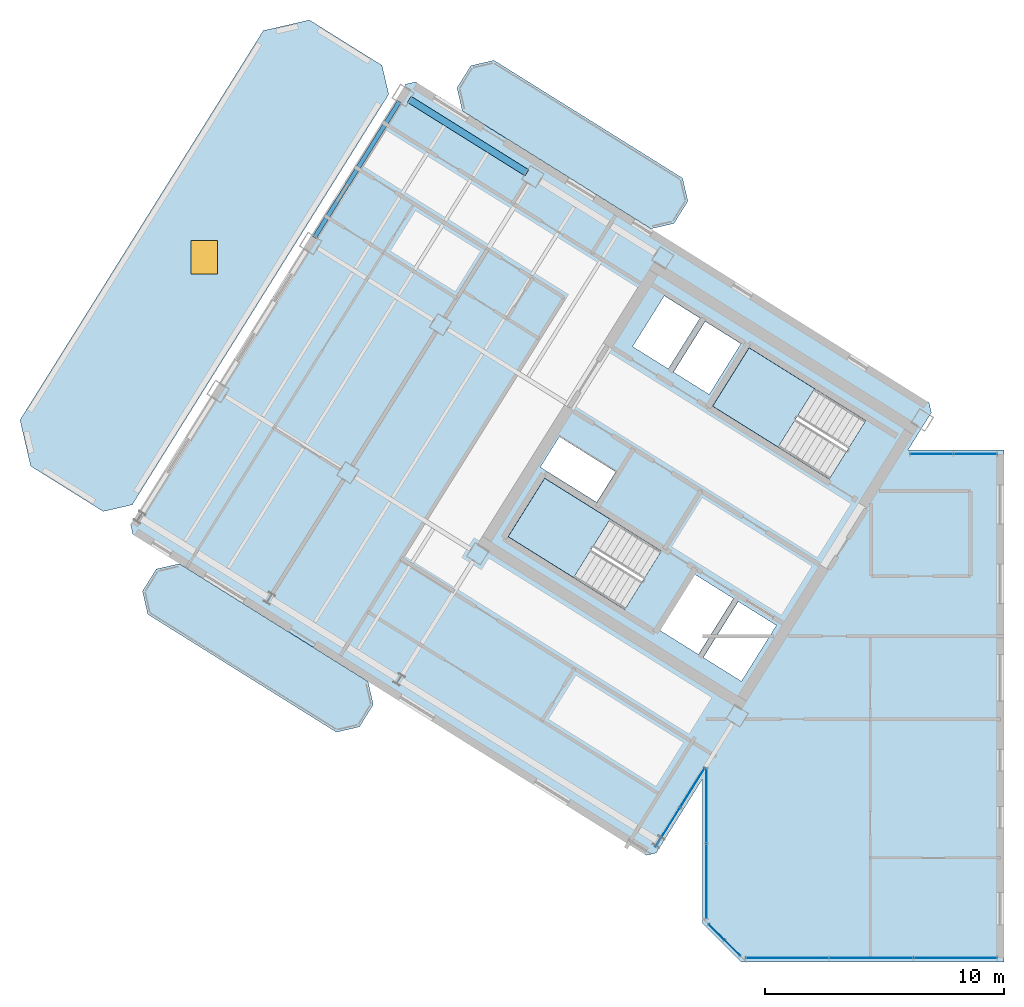
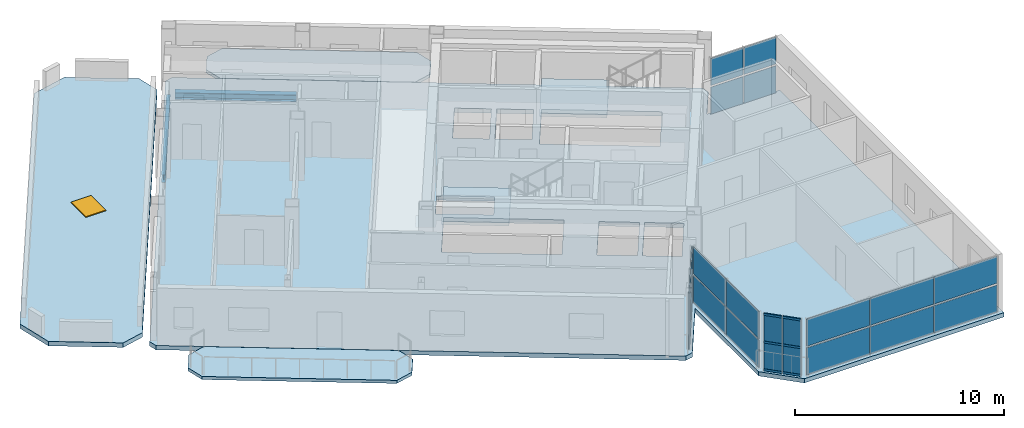
# One storey, part 6 of 12: 22 plates, 6 members, 6 slabs, 2 beams, 1 door, 1 opening, 7 elements without a shape of their own.
"""IFC4 building model written with IfcOpenShell, lengths in metres."""

from ifc_helpers import new_model, si_unit, direction, frame, origin, origin_2d, place, context, subcontext, project, spatial, polyline, rectangle, hollow_rectangle, i_section, outline, extrude, source, transform, mapped, material, layer, layer_set, material_profile, profile_set, type_object, element, fill, aggregate, save


model = new_model("IFC4")

# Units and contexts
model_context = context("Model", 3, precision=1e-05, world=origin(), true_north=direction((0.0, 1.0)))
body_context = subcontext(model_context, "Body", "Model", "MODEL_VIEW")
ifc_project = project(units=[si_unit("LENGTHUNIT", "METRE"), si_unit("AREAUNIT", "SQUARE_METRE"), si_unit("VOLUMEUNIT", "CUBIC_METRE"), si_unit("PLANEANGLEUNIT", "RADIAN"), si_unit("MASSUNIT", "GRAM", prefix="KILO")], contexts=[model_context])

# Site, building, storey
site_placement = place(None, origin())
site = spatial("IfcSite", under=ifc_project, at=site_placement, CompositionType="ELEMENT")
building_placement = place(site_placement, origin())
building = spatial("IfcBuilding", under=site, at=building_placement, Name="Tlacorven Tower", CompositionType="ELEMENT")
storey_placement = place(building_placement, frame((0.0, 0.0, 280.800048828125)))
storey = spatial("IfcBuildingStorey", under=building, at=storey_placement, Name="L71", CompositionType="ELEMENT", Elevation=280.800048828125)

# Beams
ifc_material_1 = material(Name="Steel S355J2", Category="steel")
ifc_material_profile_1 = material_profile(ifc_material_1, i_section(OverallWidth=0.300048828125, OverallDepth=0.389892578125, WebThickness=0.010986328125, FlangeThickness=0.01904296875, at=origin_2d()), Name="HEA 400")
ifc_profile_set_1 = profile_set([ifc_material_profile_1], Name="Steel S355J2")
beam_type_1 = type_object("IfcBeamType", Name="BM-SPN-400", PredefinedType="SPANDREL", material=ifc_profile_set_1)
shared_shape_1 = source(origin(), body_context, "Body", "SweptSolid", [
    extrude(i_section(OverallWidth=0.300048828125, OverallDepth=0.389892578125, WebThickness=0.010986328125, FlangeThickness=0.01904296875, at=origin_2d()), origin(), (0.0, 0.0, 1.0), 5.800048828125),
])
beam_1_placement = place(storey_placement, frame((24.24609375, 34.8017578125, -0.445068359375), z_axis=(-0.848052689693, 0.529911912967, 0.0), x_axis=(-0.529911912967, -0.848052689693, 0.0)))
element("IfcBeam", 1, at=beam_1_placement, inside=storey, type_object=beam_type_1, Name="L71 beam BM-L71-WL1-4", PredefinedType="SPANDREL", context=body_context, shape_type="MappedRepresentation", body=[
    mapped(shared_shape_1, transform((0.0, 0.0, 0.0), scale=1.0)),
])
ifc_material_profile_2 = material_profile(ifc_material_1, i_section(OverallWidth=0.18994140625, OverallDepth=0.449951171875, WebThickness=0.009521484375, FlangeThickness=0.0146484375, at=origin_2d()), Name="IPE 450")
ifc_profile_set_2 = profile_set([ifc_material_profile_2], Name="Steel S355J2")
beam_type_2 = type_object("IfcBeamType", Name="BM-TWR-450", PredefinedType="BEAM", material=ifc_profile_set_2)
shared_shape_2 = source(origin(), body_context, "Body", "SweptSolid", [
    extrude(i_section(OverallWidth=0.18994140625, OverallDepth=0.449951171875, WebThickness=0.009521484375, FlangeThickness=0.0146484375, at=origin_2d()), origin(), (0.0, 0.0, 1.0), 6.7001953125),
])
beam_2_placement = place(storey_placement, frame((18.9140625, 37.780029296875, -0.47509765625), z_axis=(-0.52991377951, -0.848051523367, 0.0), x_axis=(0.848051523367, -0.52991377951, 0.0)))
element("IfcBeam", 2, at=beam_2_placement, inside=storey, type_object=beam_type_2, Name="L71 beam BM-L71-WT5-1", PredefinedType="BEAM", context=body_context, shape_type="MappedRepresentation", body=[
    mapped(shared_shape_2, transform((0.0, 0.0, 0.0), scale=1.0)),
])

# Curtain wall, members
ifc_material_2 = material(Name="Dark solar low-E double glazing in aluminium frame", Category="aluminium")
curtain_wall_type = type_object("IfcCurtainWallType", Name="CW-TWR-HIGH", PredefinedType="USERDEFINED", material=ifc_material_2)
curtain_wall_1_placement = place(storey_placement, origin())
curtain_wall_1 = element("IfcCurtainWall", 3, at=curtain_wall_1_placement, inside=storey, type_object=curtain_wall_type, Name="L71 CW-TWR-HIGH Curtain Wall 330", ObjectType="UNITISED CURTAIN WALL", PredefinedType="USERDEFINED")
ifc_material_3 = material(Name="Aluminium 6063-T6 anodised", Category="aluminium")
ifc_material_profile_3 = material_profile(ifc_material_3, hollow_rectangle(XDim=0.054931640625, YDim=0.1201171875, WallThickness=0.00341796875, at=origin_2d()), Name="ALU TRANSOM 55X120")
ifc_profile_set_3 = profile_set([ifc_material_profile_3], Name="Aluminium 6063-T6 anodised")
member_type = type_object("IfcMemberType", Name="CWT-03", PredefinedType="USERDEFINED", material=ifc_profile_set_3)
shared_shape_3 = source(origin(), body_context, "Body", "SweptSolid", [
    extrude(hollow_rectangle(XDim=0.054931640625, YDim=0.1201171875, WallThickness=0.00341796875, at=origin_2d()), origin(), (0.0, 0.0, 1.0), 0.899169921875),
])
member_1_placement = place(storey_placement, frame((33.16162109375, 2.064697265625, 0.06005859375), z_axis=(-0.707106781187, 0.707106781187, 0.0), x_axis=(-0.707106781187, -0.707106781187, 0.0)))
member_1 = element("IfcMember", 4, at=member_1_placement, type_object=member_type, Name="CW-L71-330 Transom 1", ObjectType="TRANSOM", PredefinedType="USERDEFINED", context=body_context, shape_type="MappedRepresentation", body=[
    mapped(shared_shape_3, transform((0.0, 0.0, 0.0), scale=1.0)),
])
member_2_placement = place(storey_placement, frame((33.16162109375, 2.064697265625, 1.675048828125), z_axis=(-0.707106781187, 0.707106781187, 0.0), x_axis=(-0.707106781187, -0.707106781187, 0.0)))
member_2 = element("IfcMember", 5, at=member_2_placement, type_object=member_type, Name="CW-L71-330 Transom 2", ObjectType="TRANSOM", PredefinedType="USERDEFINED", context=body_context, shape_type="MappedRepresentation", body=[
    mapped(shared_shape_3, transform((0.0, 0.0, 0.0), scale=1.0)),
])
member_3_placement = place(storey_placement, frame((33.16162109375, 2.064697265625, 3.2900390625), z_axis=(-0.707106781187, 0.707106781187, 0.0), x_axis=(-0.707106781187, -0.707106781187, 0.0)))
member_3 = element("IfcMember", 6, at=member_3_placement, type_object=member_type, Name="CW-L71-330 Transom 3", ObjectType="TRANSOM", PredefinedType="USERDEFINED", context=body_context, shape_type="MappedRepresentation", body=[
    mapped(shared_shape_3, transform((0.0, 0.0, 0.0), scale=1.0)),
])
member_4_placement = place(storey_placement, frame((32.50048828125, 2.725830078125, 0.06005859375), z_axis=(-0.707106781187, 0.707106781187, 0.0), x_axis=(-0.707106781187, -0.707106781187, 0.0)))
member_4 = element("IfcMember", 7, at=member_4_placement, type_object=member_type, Name="CW-L71-330 Transom 4", ObjectType="TRANSOM", PredefinedType="USERDEFINED", context=body_context, shape_type="MappedRepresentation", body=[
    mapped(shared_shape_3, transform((0.0, 0.0, 0.0), scale=1.0)),
])
member_5_placement = place(storey_placement, frame((32.50048828125, 2.725830078125, 1.675048828125), z_axis=(-0.707106781187, 0.707106781187, 0.0), x_axis=(-0.707106781187, -0.707106781187, 0.0)))
member_5 = element("IfcMember", 8, at=member_5_placement, type_object=member_type, Name="CW-L71-330 Transom 5", ObjectType="TRANSOM", PredefinedType="USERDEFINED", context=body_context, shape_type="MappedRepresentation", body=[
    mapped(shared_shape_3, transform((0.0, 0.0, 0.0), scale=1.0)),
])
member_6_placement = place(storey_placement, frame((32.50048828125, 2.725830078125, 3.2900390625), z_axis=(-0.707106781187, 0.707106781187, 0.0), x_axis=(-0.707106781187, -0.707106781187, 0.0)))
member_6 = element("IfcMember", 9, at=member_6_placement, type_object=member_type, Name="CW-L71-330 Transom 6", ObjectType="TRANSOM", PredefinedType="USERDEFINED", context=body_context, shape_type="MappedRepresentation", body=[
    mapped(shared_shape_3, transform((0.0, 0.0, 0.0), scale=1.0)),
])

# Slabs
ifc_material_4 = material(Name="Precast concrete C45/55", Category="concrete")
ifc_layer_1 = layer(ifc_material_4, 0.179931640625)
ifc_layer_set_1 = layer_set([ifc_layer_1], Name="Precast concrete C45/55")
slab_type_1 = type_object("IfcSlabType", Name="SL-BAL-180", PredefinedType="USERDEFINED", material=ifc_layer_set_1)
slab_1_placement = place(storey_placement, frame((0.0, 0.0, -0.179931640625)))
element("IfcSlab", 10, at=slab_1_placement, inside=storey, type_object=slab_type_1, Name="L71 West Wing Balcony Ribbon OUT", ObjectType="BALCONY SLAB", PredefinedType="USERDEFINED", context=body_context, shape_type="SweptSolid", body=[
    extrude(outline(polyline([(17.601318359375, 13.52490234375), (9.71435546875, 18.453125), (8.749755859375, 18.23046875), (8.169677734375, 17.3017578125), (8.392333984375, 16.33740234375), (16.279052734375, 11.408935546875), (17.24365234375, 11.6318359375), (17.823974609375, 12.560302734375), (17.601318359375, 13.52490234375)])), origin(), (0.0, 0.0, 1.0), 0.179931640625),
])
slab_2_placement = place(storey_placement, frame((0.0, 0.0, -0.179931640625)))
element("IfcSlab", 11, at=slab_2_placement, inside=storey, type_object=slab_type_1, Name="L71 West Wing Balcony Ribbon IN", ObjectType="BALCONY SLAB", PredefinedType="USERDEFINED", context=body_context, shape_type="SweptSolid", body=[
    extrude(outline(polyline([(30.756591796875, 34.57763671875), (22.86962890625, 39.505859375), (21.905029296875, 39.283203125), (21.324951171875, 38.354736328125), (21.547607421875, 37.39013671875), (29.434326171875, 32.4619140625), (30.39892578125, 32.6845703125), (30.979248046875, 33.613037109375), (30.756591796875, 34.57763671875)])), origin(), (0.0, 0.0, 1.0), 0.179931640625),
])

# Stair, slab
ifc_material_5 = material(Name="Concrete C40/50", Category="concrete")
stair_type = type_object("IfcStairType", Name="ST-CORE-DLG", PredefinedType="HALF_TURN_STAIR", material=ifc_material_5)
stair_1_placement = place(storey_placement, origin())
stair_1 = element("IfcStair", 12, at=stair_1_placement, inside=storey, type_object=stair_type, Name="L71 Protected Exit Stair West 1", PredefinedType="HALF_TURN_STAIR")
ifc_layer_2 = layer(ifc_material_5, 0.199951171875)
ifc_layer_set_2 = layer_set([ifc_layer_2], Name="Concrete C40/50")
slab_type_2 = type_object("IfcSlabType", Name="SL-LND-200", PredefinedType="LANDING", material=ifc_layer_set_2)
slab_3_placement = place(storey_placement, frame((0.0, 0.0, 1.599853515625)))
slab_3 = element("IfcSlab", 13, at=slab_3_placement, type_object=slab_type_2, Name="ST-W1 landing 1", PredefinedType="LANDING", context=body_context, shape_type="SweptSolid", body=[
    extrude(outline(polyline([(27.728515625, 20.315185546875), (24.9892578125, 22.02685546875), (23.463134765625, 19.58447265625), (26.2021484375, 17.872802734375), (27.728515625, 20.315185546875)])), origin(), (0.0, 0.0, 1.0), 0.2001953125),
])
aggregate(stair_1, [slab_3])

stair_2_placement = place(storey_placement, origin())
stair_2 = element("IfcStair", 14, at=stair_2_placement, inside=storey, type_object=stair_type, Name="L71 Protected Exit Stair West 2", PredefinedType="HALF_TURN_STAIR")
slab_4_placement = place(storey_placement, frame((0.0, 0.0, 1.599853515625)))
slab_4 = element("IfcSlab", 15, at=slab_4_placement, type_object=slab_type_2, Name="ST-W2 landing 1", PredefinedType="LANDING", context=body_context, shape_type="SweptSolid", body=[
    extrude(outline(polyline([(36.280029296875, 25.772705078125), (33.540771484375, 27.484375), (32.0146484375, 25.0419921875), (34.75390625, 23.33056640625), (36.280029296875, 25.772705078125)])), origin(), (0.0, 0.0, 1.0), 0.2001953125),
])
aggregate(stair_2, [slab_4])

# Slab, opening, door
ifc_layer_3 = layer(ifc_material_5, 0.260009765625)
ifc_layer_set_3 = layer_set([ifc_layer_3], Name="Concrete C40/50")
slab_type_3 = type_object("IfcSlabType", Name="SL-ROF-260", PredefinedType="ROOF", material=ifc_layer_set_3)
slab_5_placement = place(storey_placement, frame((0.0, 0.0, -0.260009765625)))
slab_5 = element("IfcSlab", 16, at=slab_5_placement, inside=storey, type_object=slab_type_3, Name="L71 West Wing Setback Roof Slab", PredefinedType="ROOF", context=body_context, shape_type="SweptSolid", body=[
    extrude(outline(polyline([(6.5283203125, 20.638671875), (3.492431640625, 22.53564453125), (3.047119140625, 24.46484375), (13.221435546875, 40.747314453125), (15.150634765625, 41.19287109375), (18.186767578125, 39.295654296875), (18.466552734375, 38.0830078125), (7.740966796875, 20.91845703125), (6.5283203125, 20.638671875)])), origin(), (0.0, 0.0, 1.0), 0.260009765625),
])
opening_placement = place(slab_5_placement, frame((10.7568359375, 31.27392578125, 0.0)))
opening = element("IfcOpeningElement", 17, at=opening_placement, cuts=slab_5, Name="Opening RH01", PredefinedType="OPENING", context=body_context, shape_type="SweptSolid", body=[
    extrude(rectangle(XDim=1.10009765625, YDim=1.39990234375, at=origin_2d()), frame((0.0, 0.0, -0.010009765625)), (0.0, 0.0, 1.0), 0.35009765625),
])
ifc_material_6 = material(Name="Fire-rated steel door assembly", Category="steel")
door_type = type_object("IfcDoorType", Name="DR-ROF-HTCH-1100", OperationType="SINGLE_SWING_LEFT", PredefinedType="TRAPDOOR", material=ifc_material_6)
door_placement = place(opening_placement, frame((0.0, 0.0, 0.260009765625)))
door = element("IfcDoor", 18, at=door_placement, inside=storey, type_object=door_type, Name="L71 West Wing Setback Roof Maintenance Access Hatch", OperationType="SINGLE_SWING_LEFT", OverallHeight=1.39990234375, OverallWidth=1.10009765625, PredefinedType="TRAPDOOR", context=body_context, shape_type="SweptSolid", body=[
    extrude(rectangle(XDim=1.10009765625, YDim=1.39990234375, at=origin_2d()), origin(), (0.0, 0.0, 1.0), 0.050048828125),
])
fill(opening, door)

# Slab
ifc_layer_4 = layer(ifc_material_5, 0.25)
ifc_layer_set_4 = layer_set([ifc_layer_4], Name="Concrete C40/50")
slab_type_4 = type_object("IfcSlabType", Name="SL-TWR-250", PredefinedType="FLOOR", material=ifc_layer_set_4)
slab_6_placement = place(storey_placement, frame((0.0, 0.0, -0.25)))
element("IfcSlab", 19, at=slab_6_placement, inside=storey, type_object=slab_type_4, Name="L71 Boomerang Tower Floor Slab", PredefinedType="FLOOR", context=body_context, shape_type="SweptSolid", body=[
    extrude(outline(polyline([(44.199951171875, 23.199951171875), (44.199951171875, 1.800048828125), (33.199951171875, 1.800048828125), (31.60009765625, 3.39990234375), (31.60009765625, 9.470703125), (29.652587890625, 6.35400390625), (29.2392578125, 6.258544921875), (7.7666015625, 19.67626953125), (7.671142578125, 20.089599609375), (19.180908203125, 38.50927734375), (19.594482421875, 38.604736328125), (41.06689453125, 25.18701171875), (41.162353515625, 24.773681640625), (40.178955078125, 23.199951171875), (44.199951171875, 23.199951171875)]), holes=[polyline([(29.865478515625, 18.979736328125), (24.9892578125, 22.02685546875), (23.463134765625, 19.58447265625), (28.33935546875, 16.537353515625), (29.865478515625, 18.979736328125)]), polyline([(38.4169921875, 24.4375), (33.540771484375, 27.484375), (32.0146484375, 25.0419921875), (36.890869140625, 21.9951171875), (38.4169921875, 24.4375)]), polyline([(34.682373046875, 15.87548828125), (33.088134765625, 16.871826171875), (31.62548828125, 14.531005859375), (33.2197265625, 13.534912109375), (34.682373046875, 15.87548828125)]), polyline([(32.884521484375, 16.9990234375), (31.2392578125, 18.02685546875), (29.77685546875, 15.686279296875), (31.421875, 14.658203125), (32.884521484375, 16.9990234375)]), polyline([(33.197265625, 27.65185546875), (31.704833984375, 28.58447265625), (30.3798828125, 26.46435546875), (31.87255859375, 25.53173828125), (33.197265625, 27.65185546875)]), polyline([(31.484375, 28.722412109375), (29.99169921875, 29.655029296875), (28.6669921875, 27.534912109375), (30.159423828125, 26.602294921875), (31.484375, 28.722412109375)]), polyline([(27.96142578125, 22.2919921875), (25.603759765625, 23.76513671875), (24.80908203125, 22.4931640625), (27.16650390625, 21.02001953125), (27.96142578125, 22.2919921875)])]), origin(), (0.0, 0.0, 1.0), 0.25),
])

# Plate
ifc_material_7 = material(Name="High-wind dark solar tempered low-E glazing", Category="glass")
ifc_layer_5 = layer(ifc_material_7, 0.028076171875)
ifc_layer_set_5 = layer_set([ifc_layer_5], Name="High-wind dark solar tempered low-E glazing")
plate_type = type_object("IfcPlateType", Name="CWP-03", PredefinedType="CURTAIN_PANEL", material=ifc_layer_set_5)
shared_shape_4 = source(origin(), body_context, "Body", "SweptSolid", [
    extrude(rectangle(XDim=0.89306640625, YDim=0.028076171875, at=origin_2d()), origin(), (0.0, 0.0, 1.0), 1.572998046875),
])
plate_1_placement = place(storey_placement, frame((32.84375, 2.382568359375, 0.05078125), z_axis=(0.0, 0.0, 1.0), x_axis=(-0.707106781187, 0.707106781187, 0.0)))
plate_1 = element("IfcPlate", 20, at=plate_1_placement, type_object=plate_type, Name="CW-L71-330 Glazing Panel 1", PredefinedType="CURTAIN_PANEL", context=body_context, shape_type="MappedRepresentation", body=[
    mapped(shared_shape_4, transform((0.0, 0.0, 0.0), scale=1.0)),
])

plate_2_placement = place(storey_placement, frame((32.84375, 2.382568359375, 1.72607421875), z_axis=(0.0, 0.0, 1.0), x_axis=(-0.707106781187, 0.707106781187, 0.0)))
plate_2 = element("IfcPlate", 21, at=plate_2_placement, type_object=plate_type, Name="CW-L71-330 Glazing Panel 2", PredefinedType="CURTAIN_PANEL", context=body_context, shape_type="MappedRepresentation", body=[
    mapped(shared_shape_4, transform((0.0, 0.0, 0.0), scale=1.0)),
])

plate_3_placement = place(storey_placement, frame((32.1826171875, 3.043701171875, 0.05078125), z_axis=(0.0, 0.0, 1.0), x_axis=(-0.707106781187, 0.707106781187, 0.0)))
plate_3 = element("IfcPlate", 22, at=plate_3_placement, type_object=plate_type, Name="CW-L71-330 Glazing Panel 3", PredefinedType="CURTAIN_PANEL", context=body_context, shape_type="MappedRepresentation", body=[
    mapped(shared_shape_4, transform((0.0, 0.0, 0.0), scale=1.0)),
])

plate_4_placement = place(storey_placement, frame((32.1826171875, 3.043701171875, 1.72607421875), z_axis=(0.0, 0.0, 1.0), x_axis=(-0.707106781187, 0.707106781187, 0.0)))
plate_4 = element("IfcPlate", 23, at=plate_4_placement, type_object=plate_type, Name="CW-L71-330 Glazing Panel 4", PredefinedType="CURTAIN_PANEL", context=body_context, shape_type="MappedRepresentation", body=[
    mapped(shared_shape_4, transform((0.0, 0.0, 0.0), scale=1.0)),
])

aggregate(curtain_wall_1, [member_1, member_2, member_3, plate_1, plate_2, member_4, member_5, member_6, plate_3, plate_4])

# Curtain wall, plates
curtain_wall_2_placement = place(storey_placement, origin())
curtain_wall_2 = element("IfcCurtainWall", 24, at=curtain_wall_2_placement, inside=storey, type_object=curtain_wall_type, Name="L71 CW-TWR-HIGH Curtain Wall 331", ObjectType="UNITISED CURTAIN WALL", PredefinedType="USERDEFINED")
shared_shape_5 = source(origin(), body_context, "Body", "SweptSolid", [
    extrude(rectangle(XDim=3.109130859375, YDim=0.028076171875, at=origin_2d()), origin(), (0.0, 0.0, 1.0), 1.572998046875),
])
plate_5_placement = place(storey_placement, frame((31.760009765625, 5.171875, 0.05078125), z_axis=(0.0, 0.0, 1.0), x_axis=(0.0, 1.0, 0.0)))
plate_5 = element("IfcPlate", 25, at=plate_5_placement, type_object=plate_type, Name="CW-L71-331 Glazing Panel 1", PredefinedType="CURTAIN_PANEL", context=body_context, shape_type="MappedRepresentation", body=[
    mapped(shared_shape_5, transform((0.0, 0.0, 0.0), scale=1.0)),
])
plate_6_placement = place(storey_placement, frame((31.760009765625, 5.171875, 1.72607421875), z_axis=(0.0, 0.0, 1.0), x_axis=(0.0, 1.0, 0.0)))
plate_6 = element("IfcPlate", 26, at=plate_6_placement, type_object=plate_type, Name="CW-L71-331 Glazing Panel 2", PredefinedType="CURTAIN_PANEL", context=body_context, shape_type="MappedRepresentation", body=[
    mapped(shared_shape_5, transform((0.0, 0.0, 0.0), scale=1.0)),
])
plate_7_placement = place(storey_placement, frame((31.760009765625, 8.322998046875, 0.05078125), z_axis=(0.0, 0.0, 1.0), x_axis=(0.0, 1.0, 0.0)))
plate_7 = element("IfcPlate", 27, at=plate_7_placement, type_object=plate_type, Name="CW-L71-331 Glazing Panel 3", PredefinedType="CURTAIN_PANEL", context=body_context, shape_type="MappedRepresentation", body=[
    mapped(shared_shape_5, transform((0.0, 0.0, 0.0), scale=1.0)),
])
plate_8_placement = place(storey_placement, frame((31.760009765625, 8.322998046875, 1.72607421875), z_axis=(0.0, 0.0, 1.0), x_axis=(0.0, 1.0, 0.0)))
plate_8 = element("IfcPlate", 28, at=plate_8_placement, type_object=plate_type, Name="CW-L71-331 Glazing Panel 4", PredefinedType="CURTAIN_PANEL", context=body_context, shape_type="MappedRepresentation", body=[
    mapped(shared_shape_5, transform((0.0, 0.0, 0.0), scale=1.0)),
])
aggregate(curtain_wall_2, [plate_5, plate_6, plate_7, plate_8])

curtain_wall_3_placement = place(storey_placement, origin())
curtain_wall_3 = element("IfcCurtainWall", 29, at=curtain_wall_3_placement, inside=storey, type_object=curtain_wall_type, Name="L71 CW-TWR-HIGH Curtain Wall 332", ObjectType="UNITISED CURTAIN WALL", PredefinedType="USERDEFINED")
shared_shape_6 = source(origin(), body_context, "Body", "SweptSolid", [
    extrude(rectangle(XDim=1.911376953125, YDim=0.028076171875, at=origin_2d()), origin(), (0.0, 0.0, 1.0), 1.572998046875),
])
plate_9_placement = place(storey_placement, frame((31.173583984375, 9.090087890625, 0.05078125), z_axis=(0.0, 0.0, 1.0), x_axis=(-0.529918710919, -0.848048441905, 0.0)))
plate_9 = element("IfcPlate", 30, at=plate_9_placement, type_object=plate_type, Name="CW-L71-332 Glazing Panel 1", PredefinedType="CURTAIN_PANEL", context=body_context, shape_type="MappedRepresentation", body=[
    mapped(shared_shape_6, transform((0.0, 0.0, 0.0), scale=1.0)),
])
plate_10_placement = place(storey_placement, frame((31.173583984375, 9.090087890625, 1.72607421875), z_axis=(0.0, 0.0, 1.0), x_axis=(-0.529918710919, -0.848048441905, 0.0)))
plate_10 = element("IfcPlate", 31, at=plate_10_placement, type_object=plate_type, Name="CW-L71-332 Glazing Panel 2", PredefinedType="CURTAIN_PANEL", context=body_context, shape_type="MappedRepresentation", body=[
    mapped(shared_shape_6, transform((0.0, 0.0, 0.0), scale=1.0)),
])
plate_11_placement = place(storey_placement, frame((30.138427734375, 7.43359375, 0.05078125), z_axis=(0.0, 0.0, 1.0), x_axis=(-0.529918710919, -0.848048441905, 0.0)))
plate_11 = element("IfcPlate", 32, at=plate_11_placement, type_object=plate_type, Name="CW-L71-332 Glazing Panel 3", PredefinedType="CURTAIN_PANEL", context=body_context, shape_type="MappedRepresentation", body=[
    mapped(shared_shape_6, transform((0.0, 0.0, 0.0), scale=1.0)),
])
plate_12_placement = place(storey_placement, frame((30.138427734375, 7.43359375, 1.72607421875), z_axis=(0.0, 0.0, 1.0), x_axis=(-0.529918710919, -0.848048441905, 0.0)))
plate_12 = element("IfcPlate", 33, at=plate_12_placement, type_object=plate_type, Name="CW-L71-332 Glazing Panel 4", PredefinedType="CURTAIN_PANEL", context=body_context, shape_type="MappedRepresentation", body=[
    mapped(shared_shape_6, transform((0.0, 0.0, 0.0), scale=1.0)),
])
aggregate(curtain_wall_3, [plate_9, plate_10, plate_11, plate_12])

curtain_wall_4_placement = place(storey_placement, origin())
curtain_wall_4 = element("IfcCurtainWall", 34, at=curtain_wall_4_placement, inside=storey, type_object=curtain_wall_type, Name="L71 CW-TWR-HIGH Curtain Wall 333", ObjectType="UNITISED CURTAIN WALL", PredefinedType="USERDEFINED")
shared_shape_7 = source(origin(), body_context, "Body", "SweptSolid", [
    extrude(rectangle(XDim=1.776123046875, YDim=0.028076171875, at=origin_2d()), origin(), (0.0, 0.0, 1.0), 1.572998046875),
])
plate_13_placement = place(storey_placement, frame((41.182861328125, 23.0400390625, 0.05078125), z_axis=(0.0, 0.0, 1.0), x_axis=(1.0, 0.0, 0.0)))
plate_13 = element("IfcPlate", 35, at=plate_13_placement, type_object=plate_type, Name="CW-L71-333 Glazing Panel 1", PredefinedType="CURTAIN_PANEL", context=body_context, shape_type="MappedRepresentation", body=[
    mapped(shared_shape_7, transform((0.0, 0.0, 0.0), scale=1.0)),
])
plate_14_placement = place(storey_placement, frame((41.182861328125, 23.0400390625, 1.72607421875), z_axis=(0.0, 0.0, 1.0), x_axis=(1.0, 0.0, 0.0)))
plate_14 = element("IfcPlate", 36, at=plate_14_placement, type_object=plate_type, Name="CW-L71-333 Glazing Panel 2", PredefinedType="CURTAIN_PANEL", context=body_context, shape_type="MappedRepresentation", body=[
    mapped(shared_shape_7, transform((0.0, 0.0, 0.0), scale=1.0)),
])
plate_15_placement = place(storey_placement, frame((43.0009765625, 23.0400390625, 0.05078125), z_axis=(0.0, 0.0, 1.0), x_axis=(1.0, 0.0, 0.0)))
plate_15 = element("IfcPlate", 37, at=plate_15_placement, type_object=plate_type, Name="CW-L71-333 Glazing Panel 3", PredefinedType="CURTAIN_PANEL", context=body_context, shape_type="MappedRepresentation", body=[
    mapped(shared_shape_7, transform((0.0, 0.0, 0.0), scale=1.0)),
])
plate_16_placement = place(storey_placement, frame((43.0009765625, 23.0400390625, 1.72607421875), z_axis=(0.0, 0.0, 1.0), x_axis=(1.0, 0.0, 0.0)))
plate_16 = element("IfcPlate", 38, at=plate_16_placement, type_object=plate_type, Name="CW-L71-333 Glazing Panel 4", PredefinedType="CURTAIN_PANEL", context=body_context, shape_type="MappedRepresentation", body=[
    mapped(shared_shape_7, transform((0.0, 0.0, 0.0), scale=1.0)),
])
aggregate(curtain_wall_4, [plate_13, plate_14, plate_15, plate_16])

curtain_wall_5_placement = place(storey_placement, origin())
curtain_wall_5 = element("IfcCurtainWall", 39, at=curtain_wall_5_placement, inside=storey, type_object=curtain_wall_type, Name="L71 CW-TWR-HIGH Curtain Wall 329", ObjectType="UNITISED CURTAIN WALL", PredefinedType="USERDEFINED")
shared_shape_8 = source(origin(), body_context, "Body", "SweptSolid", [
    extrude(rectangle(XDim=3.45263671875, YDim=0.028076171875, at=origin_2d()), origin(), (0.0, 0.0, 1.0), 1.572998046875),
])
plate_17_placement = place(storey_placement, frame((42.16259765625, 1.9599609375, 0.05078125), z_axis=(0.0, 0.0, 1.0), x_axis=(-1.0, 0.0, 0.0)))
plate_17 = element("IfcPlate", 40, at=plate_17_placement, type_object=plate_type, Name="CW-L71-329 Glazing Panel 1", PredefinedType="CURTAIN_PANEL", context=body_context, shape_type="MappedRepresentation", body=[
    mapped(shared_shape_8, transform((0.0, 0.0, 0.0), scale=1.0)),
])
plate_18_placement = place(storey_placement, frame((42.16259765625, 1.9599609375, 1.72607421875), z_axis=(0.0, 0.0, 1.0), x_axis=(-1.0, 0.0, 0.0)))
plate_18 = element("IfcPlate", 41, at=plate_18_placement, type_object=plate_type, Name="CW-L71-329 Glazing Panel 2", PredefinedType="CURTAIN_PANEL", context=body_context, shape_type="MappedRepresentation", body=[
    mapped(shared_shape_8, transform((0.0, 0.0, 0.0), scale=1.0)),
])
plate_19_placement = place(storey_placement, frame((35.1435546875, 1.9599609375, 0.05078125), z_axis=(0.0, 0.0, 1.0), x_axis=(-1.0, 0.0, 0.0)))
plate_19 = element("IfcPlate", 42, at=plate_19_placement, type_object=plate_type, Name="CW-L71-329 Glazing Panel 5", PredefinedType="CURTAIN_PANEL", context=body_context, shape_type="MappedRepresentation", body=[
    mapped(shared_shape_8, transform((0.0, 0.0, 0.0), scale=1.0)),
])
plate_20_placement = place(storey_placement, frame((35.1435546875, 1.9599609375, 1.72607421875), z_axis=(0.0, 0.0, 1.0), x_axis=(-1.0, 0.0, 0.0)))
plate_20 = element("IfcPlate", 43, at=plate_20_placement, type_object=plate_type, Name="CW-L71-329 Glazing Panel 6", PredefinedType="CURTAIN_PANEL", context=body_context, shape_type="MappedRepresentation", body=[
    mapped(shared_shape_8, transform((0.0, 0.0, 0.0), scale=1.0)),
])
shared_shape_9 = source(origin(), body_context, "Body", "SweptSolid", [
    extrude(rectangle(XDim=3.482666015625, YDim=0.028076171875, at=origin_2d()), origin(), (0.0, 0.0, 1.0), 1.572998046875),
])
plate_21_placement = place(storey_placement, frame((38.653076171875, 1.9599609375, 0.05078125), z_axis=(0.0, 0.0, 1.0), x_axis=(-1.0, 0.0, 0.0)))
plate_21 = element("IfcPlate", 44, at=plate_21_placement, type_object=plate_type, Name="CW-L71-329 Glazing Panel 3", PredefinedType="CURTAIN_PANEL", context=body_context, shape_type="MappedRepresentation", body=[
    mapped(shared_shape_9, transform((0.0, 0.0, 0.0), scale=1.0)),
])
plate_22_placement = place(storey_placement, frame((38.653076171875, 1.9599609375, 1.72607421875), z_axis=(0.0, 0.0, 1.0), x_axis=(-1.0, 0.0, 0.0)))
plate_22 = element("IfcPlate", 45, at=plate_22_placement, type_object=plate_type, Name="CW-L71-329 Glazing Panel 4", PredefinedType="CURTAIN_PANEL", context=body_context, shape_type="MappedRepresentation", body=[
    mapped(shared_shape_9, transform((0.0, 0.0, 0.0), scale=1.0)),
])
aggregate(curtain_wall_5, [plate_17, plate_18, plate_21, plate_22, plate_19, plate_20])

save(model, "model.ifc")
